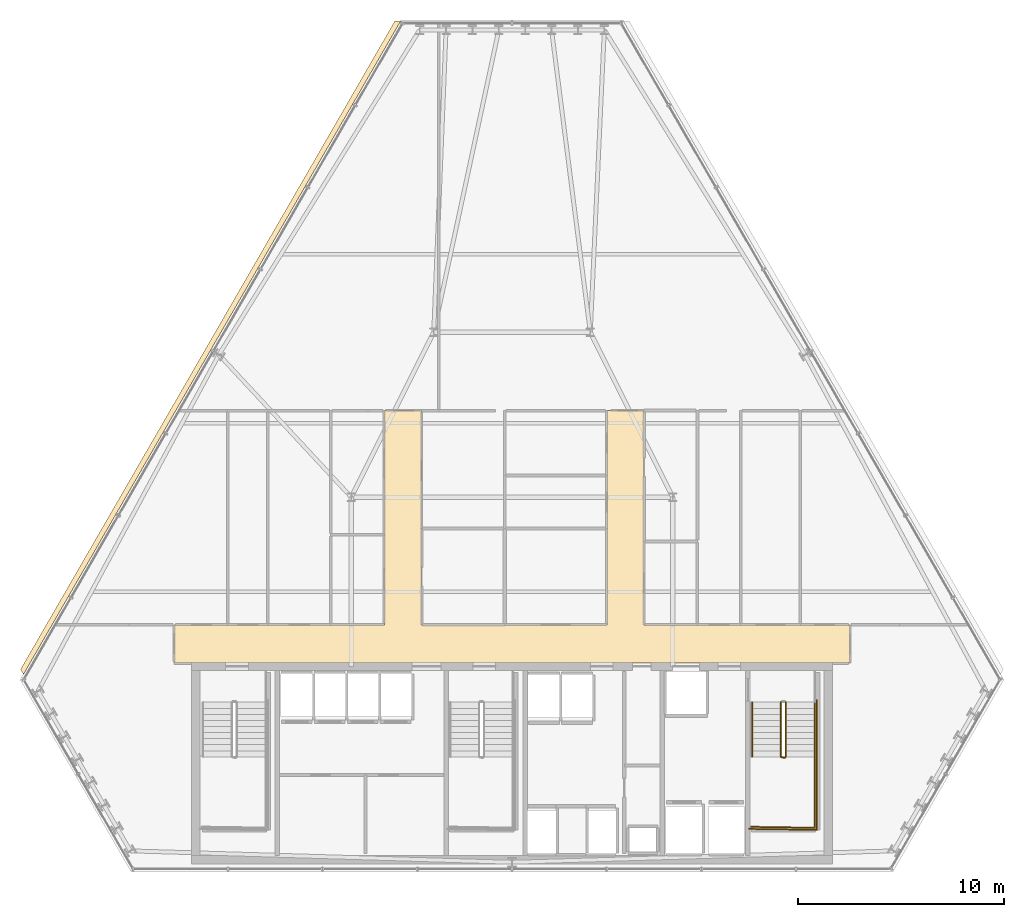
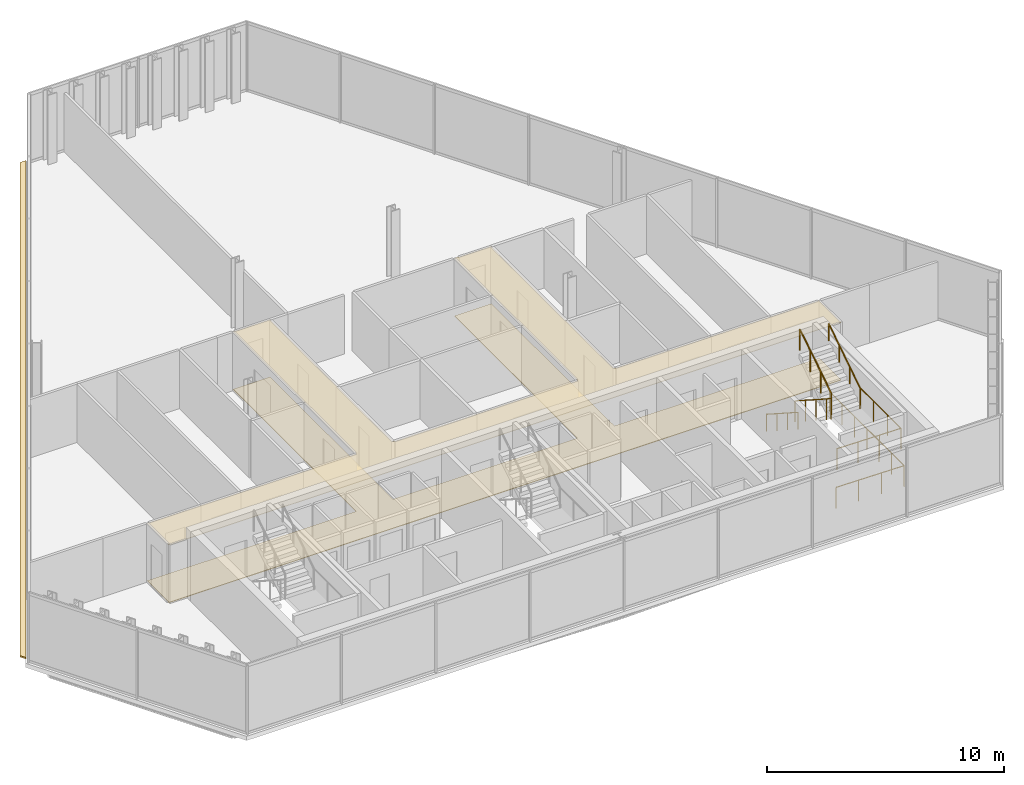
# One storey, part 32 of 33: 6 railings, 3 coverings.
"""IFC4 building model written with IfcOpenShell, lengths in metres."""

import ifcopenshell
import ifcopenshell.guid

model = None  # the IFC model being written
_history = None  # IfcOwnerHistory: only IFC2X3 demands one
_inside = {}  # id of a spatial element -> (the spatial element, [elements in it])
_under = {}  # id of a project, library or spatial element -> (it, [spatial elements below it])
_declared = {}  # id of a project -> (the project, [libraries it declares])
_typed = {}  # id of a type object -> (the type object, [elements of that type])
_made_of = {}  # id of a material, layer set ... -> (it, [elements and type objects made of it])


def new_model(schema):
    """Start an empty IFC model of exactly this schema.

    Asked for "IFC4X3", IfcOpenShell would pick the latest addendum, in which some entities
    have other attributes; the version numbers below select the first issue.
    IFC2X3 requires an IfcOwnerHistory on every rooted entity: one is made here for all.
    """
    global model, _history
    if schema == "IFC4X3":
        model = ifcopenshell.file(schema_version=(4, 3, 0, 0))
    else:
        model = ifcopenshell.file(schema=schema)
    _inside.clear()
    _under.clear()
    _declared.clear()
    _typed.clear()
    _made_of.clear()
    _history = None
    if model.schema == "IFC2X3":
        org = make("IfcOrganization", Name="unknown")
        user = make(
            "IfcPersonAndOrganization",
            ThePerson=make("IfcPerson", FamilyName="unknown"),
            TheOrganization=org,
        )
        app = make(
            "IfcApplication",
            ApplicationDeveloper=org,
            Version="unknown",
            ApplicationFullName="unknown",
            ApplicationIdentifier="unknown",
        )
        _history = make(
            "IfcOwnerHistory",
            OwningUser=user,
            OwningApplication=app,
            ChangeAction="ADDED",
            CreationDate=0,
        )
    return model


def make(cls, **values):
    """One entity of the class cls with the attributes given. An attribute that is None is left unset."""
    return model.create_entity(
        cls, **{name: value for name, value in values.items() if value is not None}
    )


def rooted(cls, **values):
    """An entity with a GlobalId (a new one), such as an element, a storey or a relation."""
    return make(cls, GlobalId=ifcopenshell.guid.new(), OwnerHistory=_history, **values)


def si_unit(unit_type, name, prefix=None):
    """IfcSIUnit, for example si_unit("LENGTHUNIT", "METRE", prefix="MILLI")."""
    return make("IfcSIUnit", UnitType=unit_type, Prefix=prefix, Name=name)


def assignment(units):
    """IfcUnitAssignment: the units of a project."""
    return None if units is None else make("IfcUnitAssignment", Units=units)


def point(xyz):
    """IfcCartesianPoint."""
    return None if xyz is None else make("IfcCartesianPoint", Coordinates=xyz)


def direction(xyz):
    """IfcDirection."""
    return None if xyz is None else make("IfcDirection", DirectionRatios=xyz)


def frame(location, z_axis=None, x_axis=None):
    """IfcAxis2Placement3D, a coordinate frame: its origin and axes. An axis left out is left unset."""
    return make(
        "IfcAxis2Placement3D",
        Location=point(location),
        Axis=direction(z_axis),
        RefDirection=direction(x_axis),
    )


def frame_2d(location, x_axis=None):
    """IfcAxis2Placement2D, a coordinate frame in the plane: its origin and x axis."""
    return make(
        "IfcAxis2Placement2D", Location=point(location), RefDirection=direction(x_axis)
    )


def origin():
    """The frame at (0, 0, 0) with its axes left unset."""
    return frame((0.0, 0.0, 0.0))


def origin_2d():
    """The frame at (0, 0) in the plane with its x axis left unset."""
    return frame_2d((0.0, 0.0))


def place(relative_to, where):
    """IfcLocalPlacement: puts the frame where relative to a parent placement (None: the world)."""
    return make(
        "IfcLocalPlacement", PlacementRelTo=relative_to, RelativePlacement=where
    )


def context(
    kind, dimensions, precision=None, world=None, true_north=None, identifier=None
):
    """IfcGeometricRepresentationContext, for example the 3D "Model" context."""
    return make(
        "IfcGeometricRepresentationContext",
        ContextIdentifier=identifier,
        ContextType=kind,
        CoordinateSpaceDimension=dimensions,
        Precision=precision,
        WorldCoordinateSystem=world,
        TrueNorth=true_north,
    )


def subcontext(parent, identifier, kind, view, scale=None):
    """IfcGeometricRepresentationSubContext, for example "Body" below "Model"."""
    return make(
        "IfcGeometricRepresentationSubContext",
        ContextIdentifier=identifier,
        ContextType=kind,
        ParentContext=parent,
        TargetScale=scale,
        TargetView=view,
    )


def project(units=None, contexts=None):
    """IfcProject with its units and contexts."""
    return rooted(
        "IfcProject",
        Name="project",
        RepresentationContexts=contexts,
        UnitsInContext=assignment(units),
    )


def spatial(cls, under=None, at=None, **own):
    """A site, building, storey or space (cls), placed at a placement, below another one or the project."""
    s = rooted(cls, ObjectPlacement=at, **own)
    if under is not None:
        _under.setdefault(under.id(), (under, []))[1].append(s)
    return s


def polyline(points):
    """IfcPolyline through the points."""
    return make("IfcPolyline", Points=[point(p) for p in points])


def profile(cls, at=None, kind="AREA", **sizes):
    """A parametric profile (cls). Its sizes go by their IFC names, for example OverallWidth=200.0."""
    return make(cls, ProfileType=kind, Position=at, **sizes)


def circle(**sizes):
    """IfcCircleProfileDef."""
    return profile("IfcCircleProfileDef", **sizes)


def outline(outer, holes=None, kind="AREA"):
    """IfcArbitraryClosedProfileDef: a profile drawn as a closed curve; with holes, ...WithVoids."""
    if holes is None:
        return make("IfcArbitraryClosedProfileDef", ProfileType=kind, OuterCurve=outer)
    return make(
        "IfcArbitraryProfileDefWithVoids",
        ProfileType=kind,
        OuterCurve=outer,
        InnerCurves=holes,
    )


def extrude(swept, where, along, depth):
    """IfcExtrudedAreaSolid: the profile swept, set in the frame where, extruded along a direction by depth."""
    return make(
        "IfcExtrudedAreaSolid",
        SweptArea=swept,
        Position=where,
        ExtrudedDirection=direction(along),
        Depth=depth,
    )


def shape(context_of_items, identifier, shape_type, items):
    """IfcShapeRepresentation: the items that make up one representation, for example the "Body"."""
    return make(
        "IfcShapeRepresentation",
        ContextOfItems=context_of_items,
        RepresentationIdentifier=identifier,
        RepresentationType=shape_type,
        Items=items,
    )


def material(Name=None, Category=None):
    """IfcMaterial."""
    return make("IfcMaterial", Name=Name, Category=Category)


def layer(
    of_material, thickness, ventilated=None, Name=None, Category=None, Priority=None
):
    """IfcMaterialLayer: one layer of a wall or slab, of a material (None: an air gap)."""
    return make(
        "IfcMaterialLayer",
        Material=of_material,
        LayerThickness=thickness,
        IsVentilated=ventilated,
        Name=Name,
        Category=Category,
        Priority=Priority,
    )


def layer_set(layers, Name=None):
    """IfcMaterialLayerSet."""
    return make("IfcMaterialLayerSet", MaterialLayers=layers, LayerSetName=Name)


def made_of(thing, what):
    """Note that an element or type object is made of a material, layer set ...; save() writes the relation."""
    if what is not None:
        _made_of.setdefault(what.id(), (what, []))[1].append(thing)
    return thing


def type_object(cls, material=None, **own):
    """A type object (cls), such as IfcWallType, which elements share."""
    return made_of(rooted(cls, **own), material)


def element(
    cls,
    number,
    at=None,
    inside=None,
    cuts=None,
    type_object=None,
    material=None,
    context=None,
    identifier="Body",
    shape_type=None,
    held_by="IfcProductDefinitionShape",
    body=None,
    shapes=None,
    **own,
):
    """One element of the class cls, such as IfcWall. Its Tag is "e" and its number.

    at: its placement. inside: the storey or other place that contains it. cuts: it is an
    opening in that element (IfcRelVoidsElement). A single representation is given by context,
    identifier, shape_type and body (its items); several are given by shapes. held_by: the class
    of the entity that holds the representations. save() writes the other relations.
    """
    e = rooted(cls, Tag="e%d" % number, ObjectPlacement=at, **own)
    if body is not None:
        shapes = [shape(context, identifier, shape_type, body)]
    if shapes is not None:
        e.Representation = make(held_by, Representations=shapes)
    if inside is not None:
        _inside.setdefault(inside.id(), (inside, []))[1].append(e)
    if cuts is not None:
        rooted(
            "IfcRelVoidsElement", RelatingBuildingElement=cuts, RelatedOpeningElement=e
        )
    if type_object is not None:
        _typed.setdefault(type_object.id(), (type_object, []))[1].append(e)
    return made_of(e, material)


def aggregate(whole, parts):
    """IfcRelAggregates: a whole, such as a stair, and the parts it consists of."""
    return rooted("IfcRelAggregates", RelatingObject=whole, RelatedObjects=parts)


def save(model, path):
    """Write the relations noted so far, then the file.

    IfcRelAggregates (storeys below a building ...), IfcRelContainedInSpatialStructure (elements
    in a storey), IfcRelDefinesByType, IfcRelAssociatesMaterial and IfcRelDeclares: one each for
    every whole, place, type object, material and project.
    """
    for whole, parts in _under.values():
        aggregate(whole, parts)
    for where, things in _inside.values():
        rooted(
            "IfcRelContainedInSpatialStructure",
            RelatedElements=things,
            RelatingStructure=where,
        )
    for kind, things in _typed.values():
        rooted("IfcRelDefinesByType", RelatedObjects=things, RelatingType=kind)
    for what, things in _made_of.values():
        rooted("IfcRelAssociatesMaterial", RelatedObjects=things, RelatingMaterial=what)
    for by, libraries in _declared.values():
        rooted("IfcRelDeclares", RelatingContext=by, RelatedDefinitions=libraries)
    model.write(path)


model = new_model("IFC4")

# Units and contexts
model_context = context("Model", 3, precision=1e-05, world=origin(), true_north=direction((0.0, 1.0)))
body_context = subcontext(model_context, "Body", "Model", "MODEL_VIEW")
ifc_project = project(units=[si_unit("LENGTHUNIT", "METRE"), si_unit("AREAUNIT", "SQUARE_METRE"), si_unit("VOLUMEUNIT", "CUBIC_METRE"), si_unit("PLANEANGLEUNIT", "RADIAN"), si_unit("MASSUNIT", "GRAM", prefix="KILO")], contexts=[model_context])

# Site, building, storey
site_placement = place(None, origin())
site = spatial("IfcSite", under=ifc_project, at=site_placement, CompositionType="ELEMENT")
building_placement = place(site_placement, origin())
building = spatial("IfcBuilding", under=site, at=building_placement, Name="Ndaravel Arena Tower", CompositionType="ELEMENT")
storey_placement = place(building_placement, frame((0.0, 0.0, 161.199951171875)))
storey = spatial("IfcBuildingStorey", under=building, at=storey_placement, Name="L38", CompositionType="ELEMENT", Elevation=161.199951171875)

# Coverings
ifc_material_1 = material(Name="Acoustic Ceiling Tile", Category="finish")
ifc_layer_1 = layer(ifc_material_1, 0.02490234375)
ifc_layer_set_1 = layer_set([ifc_layer_1], Name="Acoustic Ceiling Tile")
covering_type_1 = type_object("IfcCoveringType", Name="COV-CEIL-AC600", PredefinedType="CEILING", material=ifc_layer_set_1)
covering_1_placement = place(storey_placement, frame((0.0, 0.0, 2.98046875)))
element("IfcCovering", 1, at=covering_1_placement, inside=storey, type_object=covering_type_1, Name="L38 Corridor Acoustic Ceiling", PredefinedType="CEILING", context=body_context, shape_type="SweptSolid", body=[
    extrude(outline(polyline([(58.39990234375, 17.0), (48.39990234375, 17.0), (48.39990234375, 27.39990234375), (46.60009765625, 27.39990234375), (46.60009765625, 17.0), (37.60009765625, 17.0), (37.60009765625, 27.39990234375), (35.800048828125, 27.39990234375), (35.800048828125, 17.0), (25.60009765625, 17.0), (25.60009765625, 15.14990234375), (58.39990234375, 15.14990234375), (58.39990234375, 17.0)])), origin(), (0.0, 0.0, 1.0), 0.025146484375),
])
ifc_material_2 = material(Name="Terrazzo", Category="stone")
ifc_layer_2 = layer(ifc_material_2, 0.030029296875)
ifc_layer_set_2 = layer_set([ifc_layer_2], Name="Terrazzo")
covering_type_2 = type_object("IfcCoveringType", Name="COV-FLOOR-TERRAZZO", PredefinedType="FLOORING", material=ifc_layer_set_2)
covering_2_placement = place(storey_placement, origin())
element("IfcCovering", 2, at=covering_2_placement, inside=storey, type_object=covering_type_2, Name="L38 Corridor Terrazzo Flooring", PredefinedType="FLOORING", context=body_context, shape_type="SweptSolid", body=[
    extrude(outline(polyline([(58.39990234375, 17.0), (48.39990234375, 17.0), (48.39990234375, 27.39990234375), (46.60009765625, 27.39990234375), (46.60009765625, 17.0), (37.60009765625, 17.0), (37.60009765625, 27.39990234375), (35.800048828125, 27.39990234375), (35.800048828125, 17.0), (25.60009765625, 17.0), (25.60009765625, 15.14990234375), (58.39990234375, 15.14990234375), (58.39990234375, 17.0)])), origin(), (0.0, 0.0, 1.0), 0.030029296875),
])
ifc_material_3 = material(Name="Roofing Membrane", Category="finish")
ifc_layer_3 = layer(ifc_material_3, 0.080078125)
ifc_layer_set_3 = layer_set([ifc_layer_3], Name="Roofing Membrane")
covering_type_3 = type_object("IfcCoveringType", Name="COV-ROOF-MEMB", PredefinedType="ROOFING", material=ifc_layer_set_3)
covering_3_placement = place(storey_placement, origin())
element("IfcCovering", 3, at=covering_3_placement, inside=storey, type_object=covering_type_3, Name="L38 Facet Setback Weathering Flashing", PredefinedType="ROOFING", context=body_context, shape_type="SweptSolid", body=[
    extrude(outline(polyline([(18.1474609375, 14.845458984375), (36.315673828125, 46.313720703125), (36.59814453125, 46.313720703125), (18.288818359375, 14.600830078125), (18.1474609375, 14.845458984375)])), origin(), (0.0, 0.0, 1.0), 0.080078125),
])

# Railings
ifc_material_4 = material(Name="Steel S355", Category="steel")
ifc_layer_4 = layer(ifc_material_4, 0.06005859375)
ifc_layer_set_4 = layer_set([ifc_layer_4], Name="Steel S355")
railing_type_1 = type_object("IfcRailingType", Name="RAIL-STAIR-GD1100", PredefinedType="GUARDRAIL", material=ifc_layer_set_4)
railing_1_placement = place(storey_placement, frame((55.050048828125, 13.25, 0.18994140625)))
element("IfcRailing", 4, at=railing_1_placement, inside=storey, type_object=railing_type_1, Name="L38 ST-3 stair guard 1", PredefinedType="GUARDRAIL", context=body_context, shape_type="SweptSolid", body=[
    extrude(circle(Radius=0.02392578125, at=origin_2d()), frame((0.0, 0.0, 1.076171875), z_axis=(0.0, -0.840688348013, 0.541519253134), x_axis=(1.0, 0.0, 0.0)), (0.0, 0.0, 1.0), 3.158203125),
    extrude(circle(Radius=0.02392578125, at=origin_2d()), frame((0.0, -2.655029296875, 2.7861328125), z_axis=(0.966993988697, -0.254799187253, 0.0), x_axis=(0.254799187253, 0.966993988697, 0.0)), (0.0, 0.0, 1.0), 0.196533203125),
    extrude(circle(Radius=0.02099609375, at=origin_2d()), origin(), (0.0, 0.0, 1.0), 1.052001953125),
    extrude(circle(Radius=0.02099609375, at=origin_2d()), frame((0.0, -0.885009765625, 0.570068359375)), (0.0, 0.0, 1.0), 1.052001953125),
    extrude(circle(Radius=0.02099609375, at=origin_2d()), frame((0.0, -1.77001953125, 1.14013671875)), (0.0, 0.0, 1.0), 1.052001953125),
    extrude(circle(Radius=0.02099609375, at=origin_2d()), frame((0.0, -2.655029296875, 1.710205078125)), (0.0, 0.0, 1.0), 1.052001953125),
    extrude(circle(Radius=0.02099609375, at=origin_2d()), frame((0.18994140625, -2.705078125, 1.710205078125)), (0.0, 0.0, 1.0), 1.052001953125),
])
railing_2_placement = place(storey_placement, frame((56.68994140625, 10.594970703125, 1.900146484375)))
element("IfcRailing", 5, at=railing_2_placement, inside=storey, type_object=railing_type_1, Name="L38 ST-3 stair guard 2", PredefinedType="GUARDRAIL", context=body_context, shape_type="SweptSolid", body=[
    extrude(circle(Radius=0.02392578125, at=origin_2d()), frame((0.0, 0.0, 1.076171875), z_axis=(0.0, -1.0, 0.0), x_axis=(1.0, 0.0, 0.0)), (0.0, 0.0, 1.0), 3.445068359375),
    extrude(circle(Radius=0.02392578125, at=origin_2d()), frame((0.0, -3.445068359375, 1.076171875), z_axis=(-0.999868840623, 0.016195726322, 0.0), x_axis=(-0.016195726322, -0.999868840623, 0.0)), (0.0, 0.0, 1.0), 3.09033203125),
    extrude(circle(Radius=0.02099609375, at=origin_2d()), origin(), (0.0, 0.0, 1.0), 1.052001953125),
    extrude(circle(Radius=0.02099609375, at=origin_2d()), frame((0.0, -1.1484375, 0.0)), (0.0, 0.0, 1.0), 1.052001953125),
    extrude(circle(Radius=0.02099609375, at=origin_2d()), frame((0.0, -2.296630859375, 0.0)), (0.0, 0.0, 1.0), 1.052001953125),
    extrude(circle(Radius=0.02099609375, at=origin_2d()), frame((0.0, -3.445068359375, 0.0)), (0.0, 0.0, 1.0), 1.052001953125),
    extrude(circle(Radius=0.02099609375, at=origin_2d()), frame((-1.030029296875, -3.428466796875, 0.0)), (0.0, 0.0, 1.0), 1.052001953125),
    extrude(circle(Radius=0.02099609375, at=origin_2d()), frame((-2.059814453125, -3.41162109375, 0.0)), (0.0, 0.0, 1.0), 1.052001953125),
    extrude(circle(Radius=0.02099609375, at=origin_2d()), frame((-3.08984375, -3.39501953125, 0.0)), (0.0, 0.0, 1.0), 1.052001953125),
])
railing_3_placement = place(storey_placement, frame((55.2900390625, 10.594970703125, 2.090087890625)))
element("IfcRailing", 6, at=railing_3_placement, inside=storey, type_object=railing_type_1, Name="L38 ST-3 stair guard 3", PredefinedType="GUARDRAIL", context=body_context, shape_type="SweptSolid", body=[
    extrude(circle(Radius=0.02392578125, at=origin_2d()), frame((0.0, 0.0, 1.076171875), z_axis=(0.0, 0.840723540582, 0.54146461409), x_axis=(-1.0, 0.0, 0.0)), (0.0, 0.0, 1.0), 3.157958984375),
    extrude(circle(Radius=0.02099609375, at=origin_2d()), origin(), (0.0, 0.0, 1.0), 1.052001953125),
    extrude(circle(Radius=0.02099609375, at=origin_2d()), frame((0.0, 0.885009765625, 0.570068359375)), (0.0, 0.0, 1.0), 1.052001953125),
    extrude(circle(Radius=0.02099609375, at=origin_2d()), frame((0.0, 1.77001953125, 1.139892578125)), (0.0, 0.0, 1.0), 1.052001953125),
    extrude(circle(Radius=0.02099609375, at=origin_2d()), frame((0.0, 2.655029296875, 1.7099609375)), (0.0, 0.0, 1.0), 1.052001953125),
])
railing_4_placement = place(storey_placement, frame((56.7900390625, 13.35009765625, 0.0)))
element("IfcRailing", 7, at=railing_4_placement, inside=storey, type_object=railing_type_1, Name="L38 ST-3 stair guard 6", PredefinedType="GUARDRAIL", context=body_context, shape_type="SweptSolid", body=[
    extrude(circle(Radius=0.02392578125, at=origin_2d()), frame((0.0, 0.0, 1.076171875), z_axis=(0.0, -1.0, 0.0), x_axis=(1.0, 0.0, 0.0)), (0.0, 0.0, 1.0), 6.300048828125),
    extrude(circle(Radius=0.02392578125, at=origin_2d()), frame((0.0, -6.300048828125, 1.076171875), z_axis=(-0.99988431412, 0.015210469308, 0.0), x_axis=(-0.015210469308, -0.99988431412, 0.0)), (0.0, 0.0, 1.0), 3.29052734375),
    extrude(circle(Radius=0.02099609375, at=origin_2d()), origin(), (0.0, 0.0, 1.0), 1.052001953125),
    extrude(circle(Radius=0.02099609375, at=origin_2d()), frame((0.0, -1.050048828125, 0.0)), (0.0, 0.0, 1.0), 1.052001953125),
    extrude(circle(Radius=0.02099609375, at=origin_2d()), frame((0.0, -2.10009765625, 0.0)), (0.0, 0.0, 1.0), 1.052001953125),
    extrude(circle(Radius=0.02099609375, at=origin_2d()), frame((0.0, -3.14990234375, 0.0)), (0.0, 0.0, 1.0), 1.052001953125),
    extrude(circle(Radius=0.02099609375, at=origin_2d()), frame((0.0, -4.199951171875, 0.0)), (0.0, 0.0, 1.0), 1.052001953125),
    extrude(circle(Radius=0.02099609375, at=origin_2d()), frame((0.0, -5.25, 0.0)), (0.0, 0.0, 1.0), 1.052001953125),
    extrude(circle(Radius=0.02099609375, at=origin_2d()), frame((0.0, -6.300048828125, 0.0)), (0.0, 0.0, 1.0), 1.052001953125),
    extrude(circle(Radius=0.02099609375, at=origin_2d()), frame((-1.0966796875, -6.283447265625, 0.0)), (0.0, 0.0, 1.0), 1.052001953125),
    extrude(circle(Radius=0.02099609375, at=origin_2d()), frame((-2.193359375, -6.2666015625, 0.0)), (0.0, 0.0, 1.0), 1.052001953125),
    extrude(circle(Radius=0.02099609375, at=origin_2d()), frame((-3.2900390625, -6.25, 0.0)), (0.0, 0.0, 1.0), 1.052001953125),
])
ifc_material_5 = material(Name="Steel S355", Category="steel")
ifc_layer_5 = layer(ifc_material_5, 0.050048828125)
ifc_layer_set_5 = layer_set([ifc_layer_5], Name="Steel S355")
railing_type_2 = type_object("IfcRailingType", Name="RAIL-STAIR-HR920", PredefinedType="HANDRAIL", material=ifc_layer_set_5)
railing_5_placement = place(storey_placement, frame((53.64990234375, 13.25, 0.18994140625)))
element("IfcRailing", 8, at=railing_5_placement, inside=storey, type_object=railing_type_2, Name="L38 ST-3 stair handrail 1", PredefinedType="HANDRAIL", context=body_context, shape_type="SweptSolid", body=[
    extrude(circle(Radius=0.02392578125, at=origin_2d()), frame((0.0, 0.0, 0.8759765625), z_axis=(0.0, -0.840688348013, 0.541519253134), x_axis=(1.0, 0.0, 0.0)), (0.0, 0.0, 1.0), 3.158203125),
    extrude(circle(Radius=0.02099609375, at=origin_2d()), origin(), (0.0, 0.0, 1.0), 0.851806640625),
    extrude(circle(Radius=0.02099609375, at=origin_2d()), frame((0.0, -0.885009765625, 0.570068359375)), (0.0, 0.0, 1.0), 0.851806640625),
    extrude(circle(Radius=0.02099609375, at=origin_2d()), frame((0.0, -1.77001953125, 1.14013671875)), (0.0, 0.0, 1.0), 0.851806640625),
    extrude(circle(Radius=0.02099609375, at=origin_2d()), frame((0.0, -2.655029296875, 1.710205078125)), (0.0, 0.0, 1.0), 0.851806640625),
])
railing_6_placement = place(storey_placement, frame((56.68994140625, 10.594970703125, 2.090087890625)))
element("IfcRailing", 9, at=railing_6_placement, inside=storey, type_object=railing_type_2, Name="L38 ST-3 stair handrail 2", PredefinedType="HANDRAIL", context=body_context, shape_type="SweptSolid", body=[
    extrude(circle(Radius=0.02392578125, at=origin_2d()), frame((0.0, 0.0, 0.8759765625), z_axis=(0.0, 0.840723540582, 0.54146461409), x_axis=(-1.0, 0.0, 0.0)), (0.0, 0.0, 1.0), 3.157958984375),
    extrude(circle(Radius=0.02099609375, at=origin_2d()), origin(), (0.0, 0.0, 1.0), 0.851806640625),
    extrude(circle(Radius=0.02099609375, at=origin_2d()), frame((0.0, 0.885009765625, 0.570068359375)), (0.0, 0.0, 1.0), 0.851806640625),
    extrude(circle(Radius=0.02099609375, at=origin_2d()), frame((0.0, 1.77001953125, 1.139892578125)), (0.0, 0.0, 1.0), 0.851806640625),
    extrude(circle(Radius=0.02099609375, at=origin_2d()), frame((0.0, 2.655029296875, 1.7099609375)), (0.0, 0.0, 1.0), 0.851806640625),
])

save(model, "model.ifc")
